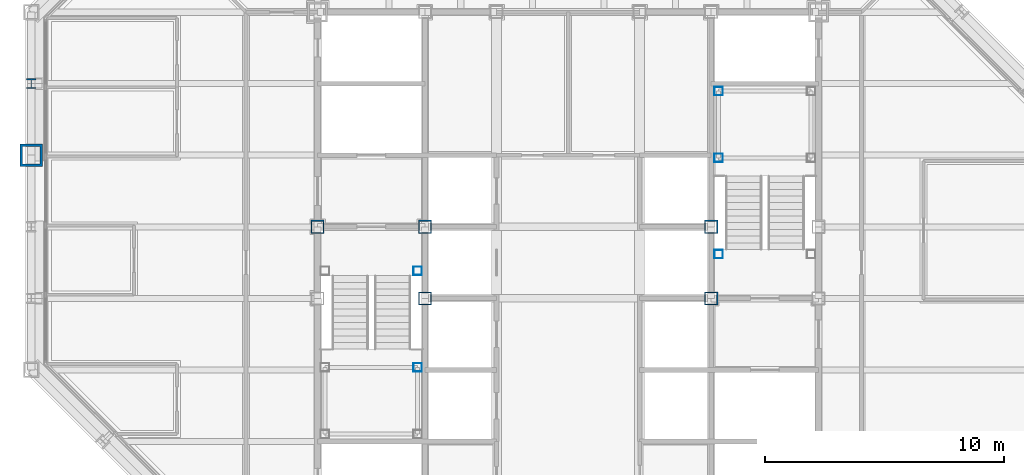
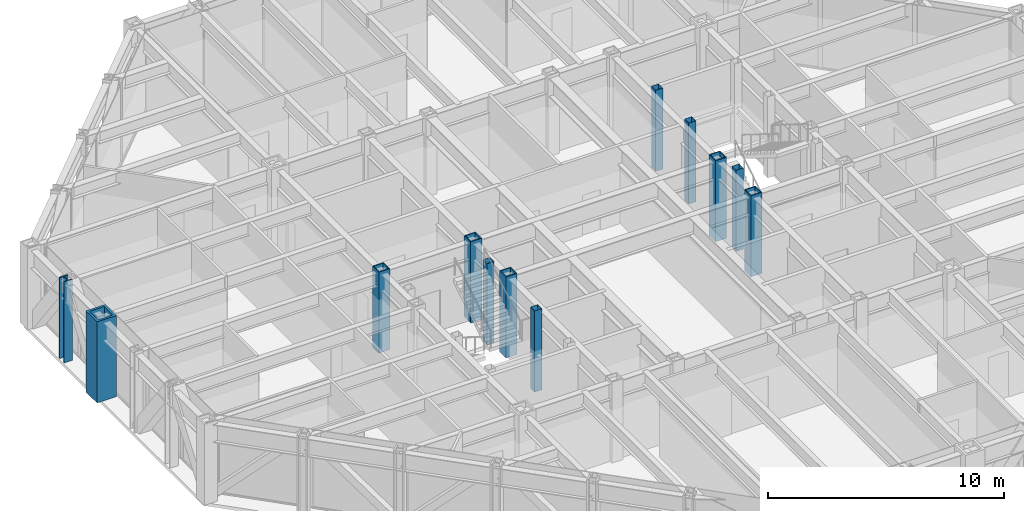
# One storey, part 2 of 16: 12 columns.
"""IFC4 building model written with IfcOpenShell, lengths in metres."""

import ifcopenshell
import ifcopenshell.guid

model = None  # the IFC model being written
_history = None  # IfcOwnerHistory: only IFC2X3 demands one
_inside = {}  # id of a spatial element -> (the spatial element, [elements in it])
_under = {}  # id of a project, library or spatial element -> (it, [spatial elements below it])
_declared = {}  # id of a project -> (the project, [libraries it declares])
_typed = {}  # id of a type object -> (the type object, [elements of that type])
_made_of = {}  # id of a material, layer set ... -> (it, [elements and type objects made of it])


def new_model(schema):
    """Start an empty IFC model of exactly this schema.

    Asked for "IFC4X3", IfcOpenShell would pick the latest addendum, in which some entities
    have other attributes; the version numbers below select the first issue.
    IFC2X3 requires an IfcOwnerHistory on every rooted entity: one is made here for all.
    """
    global model, _history
    if schema == "IFC4X3":
        model = ifcopenshell.file(schema_version=(4, 3, 0, 0))
    else:
        model = ifcopenshell.file(schema=schema)
    _inside.clear()
    _under.clear()
    _declared.clear()
    _typed.clear()
    _made_of.clear()
    _history = None
    if model.schema == "IFC2X3":
        org = make("IfcOrganization", Name="unknown")
        user = make(
            "IfcPersonAndOrganization",
            ThePerson=make("IfcPerson", FamilyName="unknown"),
            TheOrganization=org,
        )
        app = make(
            "IfcApplication",
            ApplicationDeveloper=org,
            Version="unknown",
            ApplicationFullName="unknown",
            ApplicationIdentifier="unknown",
        )
        _history = make(
            "IfcOwnerHistory",
            OwningUser=user,
            OwningApplication=app,
            ChangeAction="ADDED",
            CreationDate=0,
        )
    return model


def make(cls, **values):
    """One entity of the class cls with the attributes given. An attribute that is None is left unset."""
    return model.create_entity(
        cls, **{name: value for name, value in values.items() if value is not None}
    )


def rooted(cls, **values):
    """An entity with a GlobalId (a new one), such as an element, a storey or a relation."""
    return make(cls, GlobalId=ifcopenshell.guid.new(), OwnerHistory=_history, **values)


def si_unit(unit_type, name, prefix=None):
    """IfcSIUnit, for example si_unit("LENGTHUNIT", "METRE", prefix="MILLI")."""
    return make("IfcSIUnit", UnitType=unit_type, Prefix=prefix, Name=name)


def assignment(units):
    """IfcUnitAssignment: the units of a project."""
    return None if units is None else make("IfcUnitAssignment", Units=units)


def point(xyz):
    """IfcCartesianPoint."""
    return None if xyz is None else make("IfcCartesianPoint", Coordinates=xyz)


def direction(xyz):
    """IfcDirection."""
    return None if xyz is None else make("IfcDirection", DirectionRatios=xyz)


def frame(location, z_axis=None, x_axis=None):
    """IfcAxis2Placement3D, a coordinate frame: its origin and axes. An axis left out is left unset."""
    return make(
        "IfcAxis2Placement3D",
        Location=point(location),
        Axis=direction(z_axis),
        RefDirection=direction(x_axis),
    )


def frame_2d(location, x_axis=None):
    """IfcAxis2Placement2D, a coordinate frame in the plane: its origin and x axis."""
    return make(
        "IfcAxis2Placement2D", Location=point(location), RefDirection=direction(x_axis)
    )


def origin():
    """The frame at (0, 0, 0) with its axes left unset."""
    return frame((0.0, 0.0, 0.0))


def origin_2d():
    """The frame at (0, 0) in the plane with its x axis left unset."""
    return frame_2d((0.0, 0.0))


def place(relative_to, where):
    """IfcLocalPlacement: puts the frame where relative to a parent placement (None: the world)."""
    return make(
        "IfcLocalPlacement", PlacementRelTo=relative_to, RelativePlacement=where
    )


def context(
    kind, dimensions, precision=None, world=None, true_north=None, identifier=None
):
    """IfcGeometricRepresentationContext, for example the 3D "Model" context."""
    return make(
        "IfcGeometricRepresentationContext",
        ContextIdentifier=identifier,
        ContextType=kind,
        CoordinateSpaceDimension=dimensions,
        Precision=precision,
        WorldCoordinateSystem=world,
        TrueNorth=true_north,
    )


def subcontext(parent, identifier, kind, view, scale=None):
    """IfcGeometricRepresentationSubContext, for example "Body" below "Model"."""
    return make(
        "IfcGeometricRepresentationSubContext",
        ContextIdentifier=identifier,
        ContextType=kind,
        ParentContext=parent,
        TargetScale=scale,
        TargetView=view,
    )


def project(units=None, contexts=None):
    """IfcProject with its units and contexts."""
    return rooted(
        "IfcProject",
        Name="project",
        RepresentationContexts=contexts,
        UnitsInContext=assignment(units),
    )


def spatial(cls, under=None, at=None, **own):
    """A site, building, storey or space (cls), placed at a placement, below another one or the project."""
    s = rooted(cls, ObjectPlacement=at, **own)
    if under is not None:
        _under.setdefault(under.id(), (under, []))[1].append(s)
    return s


def profile(cls, at=None, kind="AREA", **sizes):
    """A parametric profile (cls). Its sizes go by their IFC names, for example OverallWidth=200.0."""
    return make(cls, ProfileType=kind, Position=at, **sizes)


def hollow_rectangle(**sizes):
    """IfcRectangleHollowProfileDef."""
    return profile("IfcRectangleHollowProfileDef", **sizes)


def i_section(**sizes):
    """IfcIShapeProfileDef."""
    return profile("IfcIShapeProfileDef", **sizes)


def extrude(swept, where, along, depth):
    """IfcExtrudedAreaSolid: the profile swept, set in the frame where, extruded along a direction by depth."""
    return make(
        "IfcExtrudedAreaSolid",
        SweptArea=swept,
        Position=where,
        ExtrudedDirection=direction(along),
        Depth=depth,
    )


def shape(context_of_items, identifier, shape_type, items):
    """IfcShapeRepresentation: the items that make up one representation, for example the "Body"."""
    return make(
        "IfcShapeRepresentation",
        ContextOfItems=context_of_items,
        RepresentationIdentifier=identifier,
        RepresentationType=shape_type,
        Items=items,
    )


def material(Name=None, Category=None):
    """IfcMaterial."""
    return make("IfcMaterial", Name=Name, Category=Category)


def material_profile(
    of_material, cross_section, Name=None, Category=None, Priority=None
):
    """IfcMaterialProfile: a cross section and its material."""
    return make(
        "IfcMaterialProfile",
        Name=Name,
        Material=of_material,
        Profile=cross_section,
        Priority=Priority,
        Category=Category,
    )


def profile_set(profiles, Name=None, composite=None):
    """IfcMaterialProfileSet."""
    return make(
        "IfcMaterialProfileSet",
        Name=Name,
        MaterialProfiles=profiles,
        CompositeProfile=composite,
    )


def made_of(thing, what):
    """Note that an element or type object is made of a material, layer set ...; save() writes the relation."""
    if what is not None:
        _made_of.setdefault(what.id(), (what, []))[1].append(thing)
    return thing


def type_object(cls, material=None, **own):
    """A type object (cls), such as IfcWallType, which elements share."""
    return made_of(rooted(cls, **own), material)


def element(
    cls,
    number,
    at=None,
    inside=None,
    cuts=None,
    type_object=None,
    material=None,
    context=None,
    identifier="Body",
    shape_type=None,
    held_by="IfcProductDefinitionShape",
    body=None,
    shapes=None,
    **own,
):
    """One element of the class cls, such as IfcWall. Its Tag is "e" and its number.

    at: its placement. inside: the storey or other place that contains it. cuts: it is an
    opening in that element (IfcRelVoidsElement). A single representation is given by context,
    identifier, shape_type and body (its items); several are given by shapes. held_by: the class
    of the entity that holds the representations. save() writes the other relations.
    """
    e = rooted(cls, Tag="e%d" % number, ObjectPlacement=at, **own)
    if body is not None:
        shapes = [shape(context, identifier, shape_type, body)]
    if shapes is not None:
        e.Representation = make(held_by, Representations=shapes)
    if inside is not None:
        _inside.setdefault(inside.id(), (inside, []))[1].append(e)
    if cuts is not None:
        rooted(
            "IfcRelVoidsElement", RelatingBuildingElement=cuts, RelatedOpeningElement=e
        )
    if type_object is not None:
        _typed.setdefault(type_object.id(), (type_object, []))[1].append(e)
    return made_of(e, material)


def aggregate(whole, parts):
    """IfcRelAggregates: a whole, such as a stair, and the parts it consists of."""
    return rooted("IfcRelAggregates", RelatingObject=whole, RelatedObjects=parts)


def save(model, path):
    """Write the relations noted so far, then the file.

    IfcRelAggregates (storeys below a building ...), IfcRelContainedInSpatialStructure (elements
    in a storey), IfcRelDefinesByType, IfcRelAssociatesMaterial and IfcRelDeclares: one each for
    every whole, place, type object, material and project.
    """
    for whole, parts in _under.values():
        aggregate(whole, parts)
    for where, things in _inside.values():
        rooted(
            "IfcRelContainedInSpatialStructure",
            RelatedElements=things,
            RelatingStructure=where,
        )
    for kind, things in _typed.values():
        rooted("IfcRelDefinesByType", RelatedObjects=things, RelatingType=kind)
    for what, things in _made_of.values():
        rooted("IfcRelAssociatesMaterial", RelatedObjects=things, RelatingMaterial=what)
    for by, libraries in _declared.values():
        rooted("IfcRelDeclares", RelatingContext=by, RelatedDefinitions=libraries)
    model.write(path)


model = new_model("IFC4")

# Units and contexts
model_context = context("Model", 3, precision=1e-05, world=origin(), true_north=direction((0.0, 1.0)))
body_context = subcontext(model_context, "Body", "Model", "MODEL_VIEW")
ifc_project = project(units=[si_unit("LENGTHUNIT", "METRE"), si_unit("AREAUNIT", "SQUARE_METRE"), si_unit("VOLUMEUNIT", "CUBIC_METRE"), si_unit("PLANEANGLEUNIT", "RADIAN"), si_unit("MASSUNIT", "GRAM", prefix="KILO")], contexts=[model_context])

# Site, building, storey
site_placement = place(None, origin())
site = spatial("IfcSite", under=ifc_project, at=site_placement, CompositionType="ELEMENT")
building_placement = place(site_placement, origin())
building = spatial("IfcBuilding", under=site, at=building_placement, Name="Chuquiago Exchange Tower", CompositionType="ELEMENT")
storey_placement = place(building_placement, frame((0.0, 0.0, 230.699951171875)))
storey = spatial("IfcBuildingStorey", under=building, at=storey_placement, Name="L51", CompositionType="ELEMENT", Elevation=230.699951171875)

# Columns
ifc_material_1 = material(Name="Steel ASTM A992", Category="steel")
ifc_material_profile_1 = material_profile(ifc_material_1, i_section(OverallWidth=0.408935546875, OverallDepth=0.424072265625, WebThickness=0.03271484375, FlangeThickness=0.052490234375, at=origin_2d()), Name="W14X283")
ifc_profile_set_1 = profile_set([ifc_material_profile_1], Name="Steel ASTM A992")
column_type_1 = type_object("IfcColumnType", Name="C8 W14X283", PredefinedType="COLUMN", material=ifc_profile_set_1)
column_1_placement = place(storey_placement, frame((0.0, 30.0, 0.0), z_axis=(0.0, 0.0, 1.0), x_axis=(-1.0, 0.0, 0.0)))
element("IfcColumn", 1, at=column_1_placement, inside=storey, type_object=column_type_1, Name="COL-L51-0_30", PredefinedType="COLUMN", context=body_context, shape_type="SweptSolid", body=[
    extrude(i_section(OverallWidth=0.408935546875, OverallDepth=0.424072265625, WebThickness=0.03271484375, FlangeThickness=0.052490234375, at=origin_2d()), origin(), (0.0, 0.0, 1.0), 4.199951171875),
])
ifc_material_2 = material(Name="Steel ASTM A572 Grade 50", Category="steel")
ifc_material_profile_2 = material_profile(ifc_material_2, hollow_rectangle(XDim=0.550048828125, YDim=0.550048828125, WallThickness=0.044921875, at=origin_2d()), Name="BOX550X550X45")
ifc_profile_set_2 = profile_set([ifc_material_profile_2], Name="Steel ASTM A572 Grade 50")
column_type_2 = type_object("IfcColumnType", Name="CC8 BOX550X550X45", PredefinedType="COLUMN", material=ifc_profile_set_2)
for number, where, z_axis, x_axis, name in (
    (2, (12.0, 24.0, 0.0), (0.0, 0.0, 1.0), (1.0, 0.0, 0.0), "CCOL-L51-12_24"),
    (3, (16.5, 21.0, 0.0), (0.0, 0.0, 1.0), (1.0, 0.0, 0.0), "CCOL-L51-16.5_21"),
    (4, (16.5, 24.0, 0.0), (0.0, 0.0, 1.0), (1.0, 0.0, 0.0), "CCOL-L51-16.5_24"),
    (5, (28.5, 21.0, 0.0), (0.0, 0.0, 1.0), (1.0, 0.0, 0.0), "CCOL-L51-28.5_21"),
    (6, (28.5, 24.0, 0.0), (0.0, 0.0, 1.0), (1.0, 0.0, 0.0), "CCOL-L51-28.5_24"),
):
    element("IfcColumn", number, at=place(storey_placement, frame(where, z_axis=z_axis, x_axis=x_axis)), inside=storey, type_object=column_type_2, Name=name, PredefinedType="COLUMN", context=body_context, shape_type="SweptSolid", body=[
        extrude(hollow_rectangle(XDim=0.550048828125, YDim=0.550048828125, WallThickness=0.044921875, at=origin_2d()), origin(), (0.0, 0.0, 1.0), 4.199951171875),
    ])
ifc_material_3 = material(Name="Steel ASTM A572 Grade 42", Category="steel")
ifc_material_profile_3 = material_profile(ifc_material_3, hollow_rectangle(XDim=0.949951171875, YDim=0.949951171875, WallThickness=0.110107421875, at=origin_2d()), Name="BOX950X950X110")
ifc_profile_set_3 = profile_set([ifc_material_profile_3], Name="Steel ASTM A572 Grade 42")
column_type_3 = type_object("IfcColumnType", Name="CT1 BOX950X950X110", PredefinedType="COLUMN", material=ifc_profile_set_3)
column_2_placement = place(storey_placement, frame((0.0, 27.0, 0.0), z_axis=(0.0, 0.0, 1.0), x_axis=(-1.0, 0.0, 0.0)))
element("IfcColumn", 7, at=column_2_placement, inside=storey, type_object=column_type_3, Name="COL-L51-0_27", PredefinedType="COLUMN", context=body_context, shape_type="SweptSolid", body=[
    extrude(hollow_rectangle(XDim=0.949951171875, YDim=0.949951171875, WallThickness=0.110107421875, at=origin_2d()), origin(), (0.0, 0.0, 1.0), 4.199951171875),
])
ifc_material_4 = material(Name="Steel ASTM A500 Grade C", Category="steel")
ifc_material_profile_4 = material_profile(ifc_material_4, hollow_rectangle(XDim=0.355712890625, YDim=0.355712890625, WallThickness=0.0087890625, at=origin_2d()), Name="HSS14X14X3/8")
ifc_profile_set_4 = profile_set([ifc_material_profile_4], Name="Steel ASTM A500 Grade C")
column_type_4 = type_object("IfcColumnType", Name="PT1 HSS14X14X3/8", PredefinedType="COLUMN", material=ifc_profile_set_4)
for number, where, z_axis, x_axis, name in (
    (8, (16.18994140625, 18.110107421875, 0.0), (0.0, 0.0, 1.0), (1.0, 0.0, 0.0), "Stair ST1 L51 landing post"),
    (9, (16.18994140625, 22.14990234375, 0.0), (0.0, 0.0, 1.0), (1.0, 0.0, 0.0), "Stair ST1 L51 landing post"),
    (10, (28.81005859375, 29.68994140625, 0.0), (0.0, 0.0, 1.0), (1.0, 0.0, 0.0), "Stair ST2 L51 landing post"),
    (11, (28.81005859375, 26.889892578125, 0.0), (0.0, 0.0, 1.0), (1.0, 0.0, 0.0), "Stair ST2 L51 landing post"),
    (12, (28.81005859375, 22.85009765625, 0.0), (0.0, 0.0, 1.0), (1.0, 0.0, 0.0), "Stair ST2 L51 landing post"),
):
    element("IfcColumn", number, at=place(storey_placement, frame(where, z_axis=z_axis, x_axis=x_axis)), inside=storey, type_object=column_type_4, Name=name, PredefinedType="COLUMN", context=body_context, shape_type="SweptSolid", body=[
        extrude(hollow_rectangle(XDim=0.355712890625, YDim=0.355712890625, WallThickness=0.0087890625, at=origin_2d()), origin(), (0.0, 0.0, 1.0), 4.199951171875),
    ])

save(model, "model.ifc")
